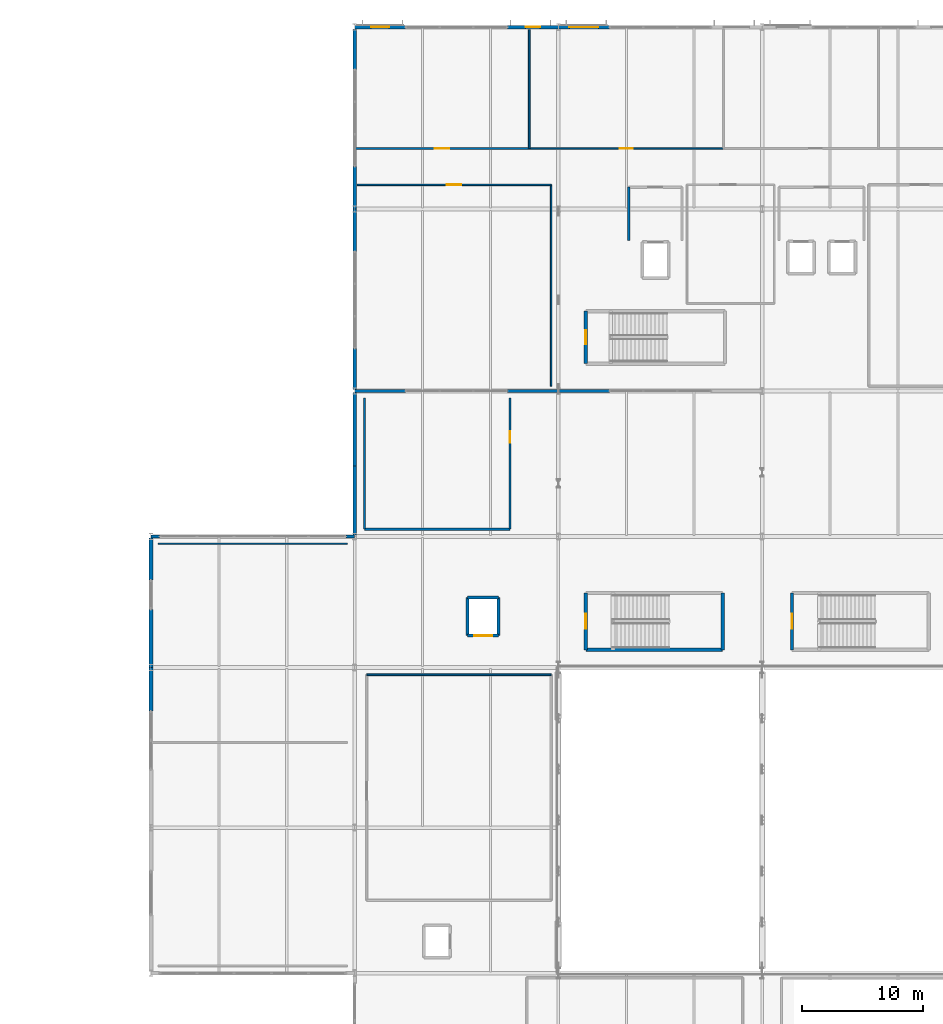
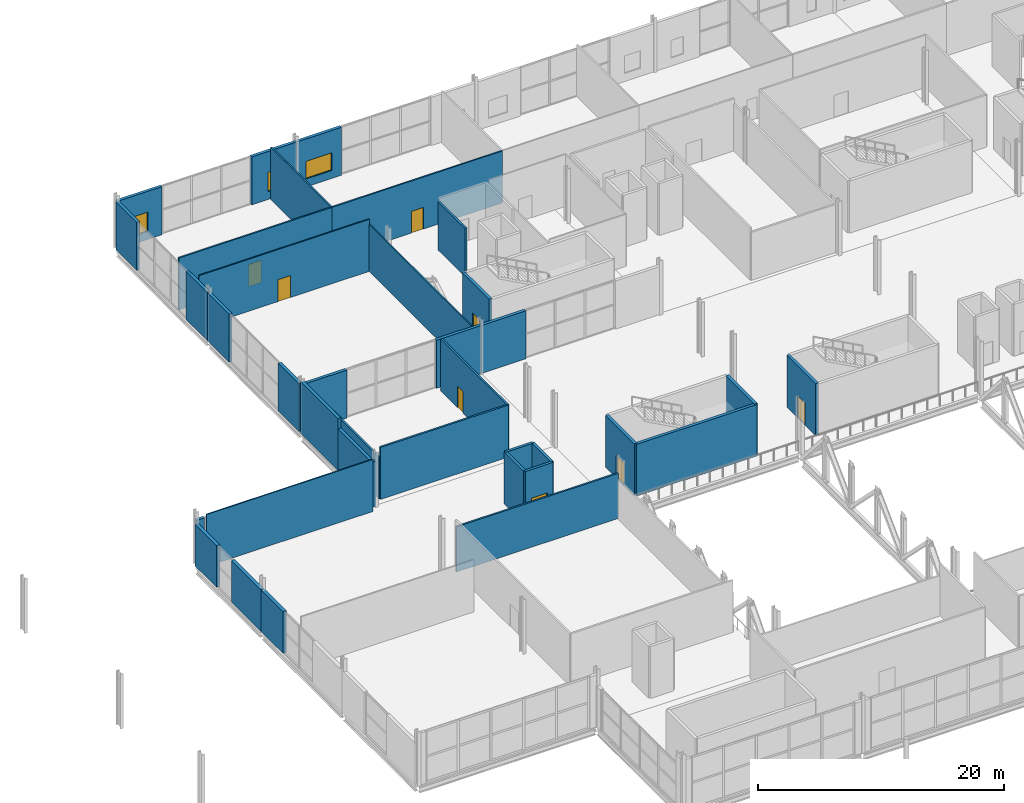
# One storey, part 61 of 84: 37 walls, 8 doors, 3 windows, 11 openings.
"""IFC4 building model written with IfcOpenShell, lengths in metres."""

from ifc_helpers import new_model, si_unit, direction, frame, frame_2d, origin, place, context, subcontext, project, spatial, rectangle, extrude, material, layer, layer_set, type_object, element, fill, save


model = new_model("IFC4")

# Units and contexts
model_context = context("Model", 3, precision=1e-05, world=origin(), true_north=direction((0.0, 1.0)))
body_context = subcontext(model_context, "Body", "Model", "MODEL_VIEW")
ifc_project = project(units=[si_unit("LENGTHUNIT", "METRE"), si_unit("AREAUNIT", "SQUARE_METRE"), si_unit("VOLUMEUNIT", "CUBIC_METRE"), si_unit("PLANEANGLEUNIT", "RADIAN"), si_unit("MASSUNIT", "GRAM", prefix="KILO")], contexts=[model_context])

# Site, building, storey
site_placement = place(None, origin())
site = spatial("IfcSite", under=ifc_project, at=site_placement, CompositionType="ELEMENT")
building_placement = place(site_placement, origin())
building = spatial("IfcBuilding", under=site, at=building_placement, Name="Kimbaza Rail Terminus", CompositionType="ELEMENT")
storey_placement = place(building_placement, frame((0.0, 0.0, 5.39990234375)))
storey = spatial("IfcBuildingStorey", under=building, at=storey_placement, Name="L01", CompositionType="ELEMENT", Elevation=5.39990234375)

# Wall, opening, window
ifc_material_1 = material(Name="Precast concrete C40/50", Category="concrete")
ifc_layer_1 = layer(ifc_material_1, 0.280029296875)
ifc_layer_set_1 = layer_set([ifc_layer_1], Name="Precast concrete C40/50")
wall_type_1 = type_object("IfcWallType", Name="ARC-WL-EXT280", PredefinedType="STANDARD", material=ifc_layer_set_1)
wall_1_placement = place(storey_placement, frame((55.199951171875, 133.0, 0.0), z_axis=(0.0, 0.0, 1.0), x_axis=(1.0, 0.0, 0.0)))
wall_1 = element("IfcWall", 1, at=wall_1_placement, inside=storey, type_object=wall_type_1, Name="Operations North Pier L01 0A", PredefinedType="STANDARD", context=body_context, shape_type="SweptSolid", body=[
    extrude(rectangle(XDim=4.199951171875, YDim=0.280029296875, at=frame_2d((2.10009765625, 0.0))), origin(), (0.0, 0.0, 1.0), 4.76513671875),
])
opening_1_placement = place(wall_1_placement, frame((1.35009765625, 0.0, 0.800048828125)))
opening_1 = element("IfcOpeningElement", 2, at=opening_1_placement, cuts=wall_1, Name="Opening W-08", PredefinedType="OPENING", context=body_context, shape_type="SweptSolid", body=[
    extrude(rectangle(XDim=1.5, YDim=1.89990234375, at=frame_2d((0.75, 0.949951171875))), frame((0.0, 0.14990234375, 0.0), z_axis=(0.0, -1.0, 0.0), x_axis=(1.0, 0.0, 0.0)), (0.0, 0.0, 1.0), 0.300048828125),
])
ifc_material_2 = material(Name="Thermally broken aluminium and solar low-E glass", Category="aluminium")
window_type_1 = type_object("IfcWindowType", Name="ARC-WIN-W-08", PartitioningType="SINGLE_PANEL", PredefinedType="WINDOW", material=ifc_material_2)
window_1_placement = place(opening_1_placement, origin())
window_1 = element("IfcWindow", 3, at=window_1_placement, inside=storey, type_object=window_type_1, Name="North Facade Window W-08", OverallHeight=1.89990234375, OverallWidth=1.5, PartitioningType="SINGLE_PANEL", PredefinedType="WINDOW", context=body_context, shape_type="SweptSolid", body=[
    extrude(rectangle(XDim=1.5, YDim=1.89990234375, at=frame_2d((0.75, 0.949951171875))), frame((0.0, 0.030029296875, 0.0), z_axis=(0.0, -1.0, 0.0), x_axis=(1.0, 0.0, 0.0)), (0.0, 0.0, 1.0), 0.06005859375),
])
fill(opening_1, window_1)

wall_2_placement = place(storey_placement, frame((67.800048828125, 133.0, 0.0), z_axis=(0.0, 0.0, 1.0), x_axis=(1.0, 0.0, 0.0)))
wall_2 = element("IfcWall", 4, at=wall_2_placement, inside=storey, type_object=wall_type_1, Name="Operations North Pier L01 0B", PredefinedType="STANDARD", context=body_context, shape_type="SweptSolid", body=[
    extrude(rectangle(XDim=4.199951171875, YDim=0.280029296875, at=frame_2d((2.10009765625, 0.0))), origin(), (0.0, 0.0, 1.0), 4.76513671875),
])
opening_2_placement = place(wall_2_placement, frame((1.5, 0.0, 0.800048828125)))
opening_2 = element("IfcOpeningElement", 5, at=opening_2_placement, cuts=wall_2, Name="Opening W-09", PredefinedType="OPENING", context=body_context, shape_type="SweptSolid", body=[
    extrude(rectangle(XDim=1.199951171875, YDim=1.89990234375, at=frame_2d((0.60009765625, 0.949951171875))), frame((0.0, 0.14990234375, 0.0), z_axis=(0.0, -1.0, 0.0), x_axis=(1.0, 0.0, 0.0)), (0.0, 0.0, 1.0), 0.300048828125),
])
ifc_material_3 = material(Name="Thermally broken aluminium and solar low-E glass", Category="aluminium")
window_type_2 = type_object("IfcWindowType", Name="ARC-WIN-W-09", PartitioningType="SINGLE_PANEL", PredefinedType="WINDOW", material=ifc_material_3)
window_2_placement = place(opening_2_placement, origin())
window_2 = element("IfcWindow", 6, at=window_2_placement, inside=storey, type_object=window_type_2, Name="North Facade Window W-09", OverallHeight=1.89990234375, OverallWidth=1.199951171875, PartitioningType="SINGLE_PANEL", PredefinedType="WINDOW", context=body_context, shape_type="SweptSolid", body=[
    extrude(rectangle(XDim=1.199951171875, YDim=1.89990234375, at=frame_2d((0.60009765625, 0.949951171875))), frame((0.0, 0.030029296875, 0.0), z_axis=(0.0, -1.0, 0.0), x_axis=(1.0, 0.0, 0.0)), (0.0, 0.0, 1.0), 0.06005859375),
])
fill(opening_2, window_2)

wall_3_placement = place(storey_placement, frame((72.0, 133.0, 0.0), z_axis=(0.0, 0.0, 1.0), x_axis=(1.0, 0.0, 0.0)))
wall_3 = element("IfcWall", 7, at=wall_3_placement, inside=storey, type_object=wall_type_1, Name="Operations North Pier L01 1A", PredefinedType="STANDARD", context=body_context, shape_type="SweptSolid", body=[
    extrude(rectangle(XDim=4.199951171875, YDim=0.280029296875, at=frame_2d((2.10009765625, 0.0))), origin(), (0.0, 0.0, 1.0), 4.76513671875),
])
opening_3_placement = place(wall_3_placement, frame((0.89990234375, 0.0, 0.800048828125)))
opening_3 = element("IfcOpeningElement", 8, at=opening_3_placement, cuts=wall_3, Name="Opening W-10", PredefinedType="OPENING", context=body_context, shape_type="SweptSolid", body=[
    extrude(rectangle(XDim=2.39990234375, YDim=1.75, at=frame_2d((1.199951171875, 0.875))), frame((0.0, 0.14990234375, 0.0), z_axis=(0.0, -1.0, 0.0), x_axis=(1.0, 0.0, 0.0)), (0.0, 0.0, 1.0), 0.300048828125),
])
ifc_material_4 = material(Name="Thermally broken aluminium and solar low-E glass", Category="aluminium")
window_type_3 = type_object("IfcWindowType", Name="ARC-WIN-W-10", PartitioningType="SINGLE_PANEL", PredefinedType="WINDOW", material=ifc_material_4)
window_3_placement = place(opening_3_placement, origin())
window_3 = element("IfcWindow", 9, at=window_3_placement, inside=storey, type_object=window_type_3, Name="North Facade Window W-10", OverallHeight=1.75, OverallWidth=2.39990234375, PartitioningType="SINGLE_PANEL", PredefinedType="WINDOW", context=body_context, shape_type="SweptSolid", body=[
    extrude(rectangle(XDim=2.39990234375, YDim=1.75, at=frame_2d((1.199951171875, 0.875))), frame((0.0, 0.030029296875, 0.0), z_axis=(0.0, -1.0, 0.0), x_axis=(1.0, 0.0, 0.0)), (0.0, 0.0, 1.0), 0.06005859375),
])
fill(opening_3, window_3)

# Walls
for number, where, z_axis, x_axis, name in (
    (10, (55.199951171875, 103.0, 0.0), (0.0, 0.0, 1.0), (1.0, 0.0, 0.0), "Operations South Wall L01 0A"),
    (11, (67.800048828125, 103.0, 0.0), (0.0, 0.0, 1.0), (1.0, 0.0, 0.0), "Operations South Wall L01 0B"),
    (12, (72.0, 103.0, 0.0), (0.0, 0.0, 1.0), (1.0, 0.0, 0.0), "Operations South Wall L01 1A"),
):
    element("IfcWall", number, at=place(storey_placement, frame(where, z_axis=z_axis, x_axis=x_axis)), inside=storey, type_object=wall_type_1, Name=name, PredefinedType="STANDARD", context=body_context, shape_type="SweptSolid", body=[
        extrude(rectangle(XDim=4.199951171875, YDim=0.280029296875, at=frame_2d((2.10009765625, 0.0))), origin(), (0.0, 0.0, 1.0), 4.76513671875),
    ])
wall_4_placement = place(storey_placement, frame((55.199951171875, 103.139892578125, 0.0), z_axis=(0.0, 0.0, 1.0), x_axis=(0.0, 1.0, 0.0)))
element("IfcWall", 13, at=wall_4_placement, inside=storey, type_object=wall_type_1, Name="Operations W End Pier L01", PredefinedType="STANDARD", context=body_context, shape_type="SweptSolid", body=[
    extrude(rectangle(XDim=3.360107421875, YDim=0.280029296875, at=frame_2d((1.68017578125, 0.0))), origin(), (0.0, 0.0, 1.0), 4.76513671875),
])
for number, where, z_axis, x_axis, name in (
    (14, (55.199951171875, 114.5, 0.0), (0.0, 0.0, 1.0), (0.0, 1.0, 0.0), "Operations W Corner Wall L01"),
    (15, (55.199951171875, 118.0, 0.0), (0.0, 0.0, 1.0), (0.0, 1.0, 0.0), "Operations W End Pier L01"),
):
    element("IfcWall", number, at=place(storey_placement, frame(where, z_axis=z_axis, x_axis=x_axis)), inside=storey, type_object=wall_type_1, Name=name, PredefinedType="STANDARD", context=body_context, shape_type="SweptSolid", body=[
        extrude(rectangle(XDim=3.5, YDim=0.280029296875, at=frame_2d((1.75, 0.0))), origin(), (0.0, 0.0, 1.0), 4.76513671875),
    ])
wall_5_placement = place(storey_placement, frame((55.199951171875, 129.5, 0.0), z_axis=(0.0, 0.0, 1.0), x_axis=(0.0, 1.0, 0.0)))
element("IfcWall", 16, at=wall_5_placement, inside=storey, type_object=wall_type_1, Name="Operations W Corner Wall L01", PredefinedType="STANDARD", context=body_context, shape_type="SweptSolid", body=[
    extrude(rectangle(XDim=3.360107421875, YDim=0.280029296875, at=frame_2d((1.68017578125, 0.0))), origin(), (0.0, 0.0, 1.0), 4.76513671875),
])
wall_6_placement = place(storey_placement, frame((38.39990234375, 91.0, 0.0), z_axis=(0.0, 0.0, 1.0), x_axis=(1.0, 0.0, 0.0)))
element("IfcWall", 17, at=wall_6_placement, inside=storey, type_object=wall_type_1, Name="Ticket Hall Wing W Curtain Wall L01.1 Corner Pier A", PredefinedType="STANDARD", context=body_context, shape_type="SweptSolid", body=[
    extrude(rectangle(XDim=0.72021484375, YDim=0.280029296875, at=frame_2d((0.360107421875, 0.0))), origin(), (0.0, 0.0, 1.0), 4.485107421875),
])
wall_7_placement = place(storey_placement, frame((54.47998046875, 91.0, 0.0), z_axis=(0.0, 0.0, 1.0), x_axis=(1.0, 0.0, 0.0)))
element("IfcWall", 18, at=wall_7_placement, inside=storey, type_object=wall_type_1, Name="Ticket Hall Wing W Curtain Wall L01.1 Corner Pier B", PredefinedType="STANDARD", context=body_context, shape_type="SweptSolid", body=[
    extrude(rectangle(XDim=0.719970703125, YDim=0.280029296875, at=frame_2d((0.35986328125, 0.0))), origin(), (0.0, 0.0, 1.0), 4.485107421875),
])
wall_8_placement = place(storey_placement, frame((55.199951171875, 91.139892578125, 0.0), z_axis=(0.0, 0.0, 1.0), x_axis=(0.0, 1.0, 0.0)))
element("IfcWall", 19, at=wall_8_placement, inside=storey, type_object=wall_type_1, Name="Link Hall W Wall L01A", PredefinedType="STANDARD", context=body_context, shape_type="SweptSolid", body=[
    extrude(rectangle(XDim=5.66015625, YDim=0.280029296875, at=frame_2d((2.830078125, 0.0))), origin(), (0.0, 0.0, 1.0), 4.125),
])
wall_9_placement = place(storey_placement, frame((55.199951171875, 96.800048828125, 0.0), z_axis=(0.0, 0.0, 1.0), x_axis=(0.0, 1.0, 0.0)))
element("IfcWall", 20, at=wall_9_placement, inside=storey, type_object=wall_type_1, Name="Link Hall W Wall L01B", PredefinedType="STANDARD", context=body_context, shape_type="SweptSolid", body=[
    extrude(rectangle(XDim=6.06005859375, YDim=0.280029296875, at=frame_2d((3.030029296875, 0.0))), origin(), (0.0, 0.0, 1.0), 5.14013671875),
])
ifc_material_5 = material(Name="Precast concrete C40/50", Category="concrete")
ifc_layer_2 = layer(ifc_material_5, 0.320068359375)
ifc_layer_set_2 = layer_set([ifc_layer_2], Name="Precast concrete C40/50")
wall_type_2 = type_object("IfcWallType", Name="ARC-WL-EXT320", PredefinedType="STANDARD", material=ifc_layer_set_2)
wall_10_placement = place(storey_placement, frame((38.39990234375, 76.60009765625, 0.0), z_axis=(0.0, 0.0, 1.0), x_axis=(0.0, 1.0, 0.0)))
element("IfcWall", 21, at=wall_10_placement, inside=storey, type_object=wall_type_2, Name="Ticket Hall W Pier L01.2", PredefinedType="STANDARD", context=body_context, shape_type="SweptSolid", body=[
    extrude(rectangle(XDim=3.599853515625, YDim=0.320068359375, at=frame_2d((1.7998046875, 0.0))), origin(), (0.0, 0.0, 1.0), 4.125),
])
wall_11_placement = place(storey_placement, frame((38.39990234375, 80.199951171875, 0.0), z_axis=(0.0, 0.0, 1.0), x_axis=(0.0, 1.0, 0.0)))
element("IfcWall", 22, at=wall_11_placement, inside=storey, type_object=wall_type_2, Name="Ticket Hall W Flank Wall L01.3", PredefinedType="STANDARD", context=body_context, shape_type="SweptSolid", body=[
    extrude(rectangle(XDim=4.800048828125, YDim=0.320068359375, at=frame_2d((2.39990234375, 0.0))), origin(), (0.0, 0.0, 1.0), 4.125),
])
wall_12_placement = place(storey_placement, frame((38.39990234375, 87.39990234375, 0.0), z_axis=(0.0, 0.0, 1.0), x_axis=(0.0, 1.0, 0.0)))
element("IfcWall", 23, at=wall_12_placement, inside=storey, type_object=wall_type_2, Name="Ticket Hall W Pier L01.3", PredefinedType="STANDARD", context=body_context, shape_type="SweptSolid", body=[
    extrude(rectangle(XDim=3.460205078125, YDim=0.320068359375, at=frame_2d((1.72998046875, 0.0))), origin(), (0.0, 0.0, 1.0), 4.125),
])
ifc_material_6 = material(Name="Concrete blockwork C30/37", Category="masonry")
ifc_layer_3 = layer(ifc_material_6, 0.179931640625)
ifc_layer_set_3 = layer_set([ifc_layer_3], Name="Concrete blockwork C30/37")
wall_type_3 = type_object("IfcWallType", Name="ARC-WL-FIRE180", PredefinedType="PARTITIONING", material=ifc_layer_set_3)
wall_13_placement = place(storey_placement, frame((77.800048828125, 119.800048828125, 0.0), z_axis=(0.0, 0.0, 1.0), x_axis=(0.0, -1.0, 0.0)))
element("IfcWall", 24, at=wall_13_placement, inside=storey, type_object=wall_type_3, Name="Firefighting Lobby LF-01 Partition (west)", PredefinedType="PARTITIONING", context=body_context, shape_type="SweptSolid", body=[
    extrude(rectangle(XDim=4.400146484375, YDim=0.179931640625, at=frame_2d((2.2001953125, 0.0))), origin(), (0.0, 0.0, 1.0), 4.795166015625),
])
ifc_material_7 = material(Name="Demountable acoustic glass wall", Category="glass")
ifc_layer_4 = layer(ifc_material_7, 0.110107421875)
ifc_layer_set_4 = layer_set([ifc_layer_4], Name="Demountable acoustic glass wall")
wall_type_4 = type_object("IfcWallType", Name="ARC-WL-MOV110", PredefinedType="MOVABLE", material=ifc_layer_set_4)
wall_14_placement = place(storey_placement, frame((54.60009765625, 90.39990234375, 0.0), z_axis=(0.0, 0.0, 1.0), x_axis=(-1.0, 0.0, 0.0)))
element("IfcWall", 25, at=wall_14_placement, inside=storey, type_object=wall_type_4, Name="Regional Passenger Waiting Salon Partition (north)", PredefinedType="MOVABLE", context=body_context, shape_type="SweptSolid", body=[
    extrude(rectangle(XDim=15.60009765625, YDim=0.110107421875, at=frame_2d((7.800048828125, 0.0))), origin(), (0.0, 0.0, 1.0), 5.16015625),
])
ifc_material_8 = material(Name="Moisture-resistant stud wall", Category="gypsum")
ifc_layer_5 = layer(ifc_material_8, 0.1201171875)
ifc_layer_set_5 = layer_set([ifc_layer_5], Name="Moisture-resistant stud wall")
wall_type_5 = type_object("IfcWallType", Name="ARC-WL-PART120", PredefinedType="PARTITIONING", material=ifc_layer_set_5)
wall_15_placement = place(storey_placement, frame((71.39990234375, 103.39990234375, 0.0), z_axis=(0.0, 0.0, 1.0), x_axis=(0.0, 1.0, 0.0)))
element("IfcWall", 26, at=wall_15_placement, inside=storey, type_object=wall_type_5, Name="L01 West Signalling Design Office Partition (east)", PredefinedType="PARTITIONING", context=body_context, shape_type="SweptSolid", body=[
    extrude(rectangle(XDim=16.60009765625, YDim=0.1201171875, at=frame_2d((8.300048828125, 0.0))), origin(), (0.0, 0.0, 1.0), 4.655029296875),
])

# Wall, opening, door
wall_16_placement = place(storey_placement, frame((71.39990234375, 120.0, 0.0), z_axis=(0.0, 0.0, 1.0), x_axis=(-1.0, 0.0, 0.0)))
wall_16 = element("IfcWall", 27, at=wall_16_placement, inside=storey, type_object=wall_type_5, Name="L01 West Signalling Design Office Partition (north)", PredefinedType="PARTITIONING", context=body_context, shape_type="SweptSolid", body=[
    extrude(rectangle(XDim=16.0, YDim=0.1201171875, at=frame_2d((8.0, 0.0))), origin(), (0.0, 0.0, 1.0), 5.16015625),
])
opening_4_placement = place(wall_16_placement, frame((7.409912109375, 0.0, 0.0)))
opening_4 = element("IfcOpeningElement", 28, at=opening_4_placement, cuts=wall_16, Name="Opening ID-11", PredefinedType="OPENING", context=body_context, shape_type="SweptSolid", body=[
    extrude(rectangle(XDim=1.179931640625, YDim=2.179931640625, at=frame_2d((0.58984375, 1.08984375))), frame((0.0, 0.070068359375, 0.0), z_axis=(0.0, -1.0, 0.0), x_axis=(1.0, 0.0, 0.0)), (0.0, 0.0, 1.0), 0.14013671875),
])
ifc_material_9 = material(Name="Broadcast studio acoustic door", Category="wood")
door_type_1 = type_object("IfcDoorType", Name="ARC-DR-ID118", OperationType="NOTDEFINED", PredefinedType="DOOR", material=ifc_material_9)
door_1_placement = place(opening_4_placement, origin())
door_1 = element("IfcDoor", 29, at=door_1_placement, inside=storey, type_object=door_type_1, Name="IDR-SPC-V5S-L01-1", OperationType="SINGLE_SWING_RIGHT", OverallHeight=2.179931640625, OverallWidth=1.179931640625, PredefinedType="DOOR", context=body_context, shape_type="SweptSolid", body=[
    extrude(rectangle(XDim=1.179931640625, YDim=2.179931640625, at=frame_2d((0.58984375, 1.08984375))), frame((0.0, 0.02490234375, 0.0), z_axis=(0.0, -1.0, 0.0), x_axis=(1.0, 0.0, 0.0)), (0.0, 0.0, 1.0), 0.050048828125),
])
fill(opening_4, door_1)

ifc_material_10 = material(Name="Acoustic gypsum stud partition", Category="gypsum")
ifc_layer_6 = layer(ifc_material_10, 0.1298828125)
ifc_layer_set_6 = layer_set([ifc_layer_6], Name="Acoustic gypsum stud partition")
wall_type_6 = type_object("IfcWallType", Name="ARC-WL-PART130", PredefinedType="PARTITIONING", material=ifc_layer_set_6)
wall_17_placement = place(storey_placement, frame((69.60009765625, 123.0, 0.0), z_axis=(0.0, 0.0, 1.0), x_axis=(1.0, 0.0, 0.0)))
wall_17 = element("IfcWall", 30, at=wall_17_placement, inside=storey, type_object=wall_type_6, Name="Conductors Roster and Dispatch Office Partition (south)", PredefinedType="PARTITIONING", context=body_context, shape_type="SweptSolid", body=[
    extrude(rectangle(XDim=16.0, YDim=0.1298828125, at=frame_2d((8.0, 0.0))), origin(), (0.0, 0.0, 1.0), 5.16015625),
])
opening_5_placement = place(wall_17_placement, frame((8.550048828125, 0.0, 0.0), z_axis=(0.0, 0.0, 1.0), x_axis=(-1.0, 0.0, 0.0)))
opening_5 = element("IfcOpeningElement", 31, at=opening_5_placement, cuts=wall_17, Name="Opening ID-04", PredefinedType="OPENING", context=body_context, shape_type="SweptSolid", body=[
    extrude(rectangle(XDim=1.10009765625, YDim=2.14990234375, at=frame_2d((0.550048828125, 1.074951171875))), frame((0.0, 0.074951171875, 0.0), z_axis=(0.0, -1.0, 0.0), x_axis=(1.0, 0.0, 0.0)), (0.0, 0.0, 1.0), 0.14990234375),
])
ifc_material_11 = material(Name="Hardwood veneer acoustic office door", Category="wood")
door_type_2 = type_object("IfcDoorType", Name="ARC-DR-ID110", OperationType="NOTDEFINED", PredefinedType="DOOR", material=ifc_material_11)
door_2_placement = place(opening_5_placement, origin())
door_2 = element("IfcDoor", 32, at=door_2_placement, inside=storey, type_object=door_type_2, Name="IDR-SPC-V5N-L01-02", OperationType="SINGLE_SWING_LEFT", OverallHeight=2.14990234375, OverallWidth=1.10009765625, PredefinedType="DOOR", context=body_context, shape_type="SweptSolid", body=[
    extrude(rectangle(XDim=1.10009765625, YDim=2.14990234375, at=frame_2d((0.550048828125, 1.074951171875))), frame((0.0, 0.02490234375, 0.0), z_axis=(0.0, -1.0, 0.0), x_axis=(1.0, 0.0, 0.0)), (0.0, 0.0, 1.0), 0.050048828125),
])
fill(opening_5, door_2)

ifc_material_12 = material(Name="Acoustic gypsum stud partition", Category="gypsum")
ifc_layer_7 = layer(ifc_material_12, 0.139892578125)
ifc_layer_set_7 = layer_set([ifc_layer_7], Name="Acoustic gypsum stud partition")
wall_type_7 = type_object("IfcWallType", Name="ARC-WL-PART140", PredefinedType="PARTITIONING", material=ifc_layer_set_7)
wall_18_placement = place(storey_placement, frame((55.219970703125, 123.0, 0.0), z_axis=(0.0, 0.0, 1.0), x_axis=(1.0, 0.0, 0.0)))
wall_18 = element("IfcWall", 33, at=wall_18_placement, inside=storey, type_object=wall_type_7, Name="Locomotive Drivers Briefing Studio Partition (south)", PredefinedType="PARTITIONING", context=body_context, shape_type="SweptSolid", body=[
    extrude(rectangle(XDim=14.380126953125, YDim=0.139892578125, at=frame_2d((7.18994140625, 0.0))), origin(), (0.0, 0.0, 1.0), 5.16015625),
])
opening_6_placement = place(wall_18_placement, frame((6.580078125, 0.0, 0.0)))
opening_6 = element("IfcOpeningElement", 34, at=opening_6_placement, cuts=wall_18, Name="Opening ID-03", PredefinedType="OPENING", context=body_context, shape_type="SweptSolid", body=[
    extrude(rectangle(XDim=1.199951171875, YDim=2.199951171875, at=frame_2d((0.60009765625, 1.10009765625))), frame((0.0, 0.079833984375, 0.0), z_axis=(0.0, -1.0, 0.0), x_axis=(1.0, 0.0, 0.0)), (0.0, 0.0, 1.0), 0.159912109375),
])
ifc_material_13 = material(Name="Hardwood veneer acoustic room door", Category="wood")
door_type_3 = type_object("IfcDoorType", Name="ARC-DR-ID120", OperationType="NOTDEFINED", PredefinedType="DOOR", material=ifc_material_13)
door_3_placement = place(opening_6_placement, origin())
door_3 = element("IfcDoor", 35, at=door_3_placement, inside=storey, type_object=door_type_3, Name="IDR-SPC-V5N-L01-01", OperationType="SINGLE_SWING_RIGHT", OverallHeight=2.199951171875, OverallWidth=1.199951171875, PredefinedType="DOOR", context=body_context, shape_type="SweptSolid", body=[
    extrude(rectangle(XDim=1.199951171875, YDim=2.199951171875, at=frame_2d((0.60009765625, 1.10009765625))), frame((0.0, 0.02490234375, 0.0), z_axis=(0.0, -1.0, 0.0), x_axis=(1.0, 0.0, 0.0)), (0.0, 0.0, 1.0), 0.050048828125),
])
fill(opening_6, door_3)

# Walls
wall_19_placement = place(storey_placement, frame((69.60009765625, 123.0, 0.0), z_axis=(0.0, 0.0, 1.0), x_axis=(0.0, 1.0, 0.0)))
element("IfcWall", 36, at=wall_19_placement, inside=storey, type_object=wall_type_7, Name="Locomotive Drivers Briefing Studio Partition (east)", PredefinedType="PARTITIONING", context=body_context, shape_type="SweptSolid", body=[
    extrude(rectangle(XDim=9.800048828125, YDim=0.139892578125, at=frame_2d((4.89990234375, 0.0))), origin(), (0.0, 0.0, 1.0), 5.16015625),
])
ifc_material_14 = material(Name="Acoustic gypsum stud partition", Category="gypsum")
ifc_layer_8 = layer(ifc_material_14, 0.159912109375)
ifc_layer_set_8 = layer_set([ifc_layer_8], Name="Acoustic gypsum stud partition")
wall_type_8 = type_object("IfcWallType", Name="ARC-WL-PART160", PredefinedType="PARTITIONING", material=ifc_layer_set_8)
wall_20_placement = place(storey_placement, frame((71.39990234375, 79.60009765625, 0.0), z_axis=(0.0, 0.0, 1.0), x_axis=(-1.0, 0.0, 0.0)))
element("IfcWall", 37, at=wall_20_placement, inside=storey, type_object=wall_type_8, Name="West Mezzanine Left-Luggage Counter Partition (north)", PredefinedType="PARTITIONING", context=body_context, shape_type="SweptSolid", body=[
    extrude(rectangle(XDim=15.199951171875, YDim=0.159912109375, at=frame_2d((7.60009765625, 0.0))), origin(), (0.0, 0.0, 1.0), 4.485107421875),
])
ifc_material_15 = material(Name="Moisture-resistant blockwork C25/30", Category="masonry")
ifc_layer_9 = layer(ifc_material_15, 0.169921875)
ifc_layer_set_9 = layer_set([ifc_layer_9], Name="Moisture-resistant blockwork C25/30")
wall_type_9 = type_object("IfcWallType", Name="ARC-WL-PLMB170", PredefinedType="PLUMBINGWALL", material=ifc_layer_set_9)
wall_21_placement = place(storey_placement, frame((56.0, 91.60009765625, 0.0), z_axis=(0.0, 0.0, 1.0), x_axis=(1.0, 0.0, 0.0)))
element("IfcWall", 38, at=wall_21_placement, inside=storey, type_object=wall_type_9, Name="Mezzanine Passenger WC Suite Partition (south)", PredefinedType="PLUMBINGWALL", context=body_context, shape_type="SweptSolid", body=[
    extrude(rectangle(XDim=12.0, YDim=0.169921875, at=frame_2d((6.0, 0.0))), origin(), (0.0, 0.0, 1.0), 5.16015625),
])

# Wall, opening, door
wall_22_placement = place(storey_placement, frame((68.0, 91.60009765625, 0.0), z_axis=(0.0, 0.0, 1.0), x_axis=(0.0, 1.0, 0.0)))
wall_22 = element("IfcWall", 39, at=wall_22_placement, inside=storey, type_object=wall_type_9, Name="Mezzanine Passenger WC Suite Partition (east)", PredefinedType="PLUMBINGWALL", context=body_context, shape_type="SweptSolid", body=[
    extrude(rectangle(XDim=10.7998046875, YDim=0.169921875, at=frame_2d((5.39990234375, 0.0))), origin(), (0.0, 0.0, 1.0), 5.16015625),
])
opening_7_placement = place(wall_22_placement, frame((7.125, 0.0, 0.0)))
opening_7 = element("IfcOpeningElement", 40, at=opening_7_placement, cuts=wall_22, Name="Opening ID-06", PredefinedType="OPENING", context=body_context, shape_type="SweptSolid", body=[
    extrude(rectangle(XDim=0.949951171875, YDim=2.14990234375, at=frame_2d((0.47509765625, 1.074951171875))), frame((0.0, 0.094970703125, 0.0), z_axis=(0.0, -1.0, 0.0), x_axis=(1.0, 0.0, 0.0)), (0.0, 0.0, 1.0), 0.18994140625),
])
ifc_material_16 = material(Name="Accessible washroom outward-capable door", Category="wood")
door_type_4 = type_object("IfcDoorType", Name="ARC-DR-ID095", OperationType="NOTDEFINED", PredefinedType="DOOR", material=ifc_material_16)
door_4_placement = place(opening_7_placement, origin())
door_4 = element("IfcDoor", 41, at=door_4_placement, inside=storey, type_object=door_type_4, Name="IDR-SPC-L01-MWC1", OperationType="SINGLE_SWING_RIGHT", OverallHeight=2.14990234375, OverallWidth=0.949951171875, PredefinedType="DOOR", context=body_context, shape_type="SweptSolid", body=[
    extrude(rectangle(XDim=0.949951171875, YDim=2.14990234375, at=frame_2d((0.47509765625, 1.074951171875))), frame((0.0, 0.02490234375, 0.0), z_axis=(0.0, -1.0, 0.0), x_axis=(1.0, 0.0, 0.0)), (0.0, 0.0, 1.0), 0.050048828125),
])
fill(opening_7, door_4)

# Wall
wall_23_placement = place(storey_placement, frame((56.0, 102.39990234375, 0.0), z_axis=(0.0, 0.0, 1.0), x_axis=(0.0, -1.0, 0.0)))
element("IfcWall", 42, at=wall_23_placement, inside=storey, type_object=wall_type_9, Name="Mezzanine Passenger WC Suite Partition (west)", PredefinedType="PLUMBINGWALL", context=body_context, shape_type="SweptSolid", body=[
    extrude(rectangle(XDim=10.7998046875, YDim=0.169921875, at=frame_2d((5.39990234375, 0.0))), origin(), (0.0, 0.0, 1.0), 4.125),
])

# Wall, opening, door
ifc_material_17 = material(Name="Concrete C40/50", Category="concrete")
ifc_layer_10 = layer(ifc_material_17, 0.25)
ifc_layer_set_10 = layer_set([ifc_layer_10], Name="Concrete C40/50")
wall_type_10 = type_object("IfcWallType", Name="STR-WL-CORE250", PredefinedType="SHEAR", material=ifc_layer_set_10)
wall_24_placement = place(storey_placement, frame((64.52001953125, 82.820068359375, 0.0), z_axis=(0.0, 0.0, 1.0), x_axis=(1.0, 0.0, 0.0)))
wall_24 = element("IfcWall", 43, at=wall_24_placement, inside=storey, type_object=wall_type_10, Name="Lift Shaft Wall LG-01 L01-1", PredefinedType="SHEAR", context=body_context, shape_type="SweptSolid", body=[
    extrude(rectangle(XDim=2.56005859375, YDim=0.25, at=frame_2d((1.280029296875, 0.0))), origin(), (0.0, 0.0, 1.0), 5.14013671875),
])
opening_8_placement = place(wall_24_placement, frame((0.530029296875, 0.0, 0.0)))
opening_8 = element("IfcOpeningElement", 44, at=opening_8_placement, cuts=wall_24, Name="Opening LD-03", PredefinedType="OPENING", context=body_context, shape_type="SweptSolid", body=[
    extrude(rectangle(XDim=1.5, YDim=2.300048828125, at=frame_2d((0.75, 1.14990234375))), frame((0.0, 0.135009765625, 0.0), z_axis=(0.0, -1.0, 0.0), x_axis=(1.0, 0.0, 0.0)), (0.0, 0.0, 1.0), 0.27001953125),
])
ifc_material_18 = material(Name="Heavy goods stainless steel landing door", Category="steel")
door_type_5 = type_object("IfcDoorType", Name="ARC-DR-LD150", OperationType="NOTDEFINED", PredefinedType="DOOR", material=ifc_material_18)
door_5_placement = place(opening_8_placement, origin())
door_5 = element("IfcDoor", 45, at=door_5_placement, inside=storey, type_object=door_type_5, Name="LDR-LG-01-L01", OperationType="SLIDING_TO_LEFT", OverallHeight=2.300048828125, OverallWidth=1.5, PredefinedType="DOOR", context=body_context, shape_type="SweptSolid", body=[
    extrude(rectangle(XDim=1.5, YDim=2.300048828125, at=frame_2d((0.75, 1.14990234375))), frame((0.0, 0.02490234375, 0.0), z_axis=(0.0, -1.0, 0.0), x_axis=(1.0, 0.0, 0.0)), (0.0, 0.0, 1.0), 0.050048828125),
])
fill(opening_8, door_5)

# Walls
wall_25_placement = place(storey_placement, frame((67.080078125, 82.820068359375, 0.0), z_axis=(0.0, 0.0, 1.0), x_axis=(0.0, 1.0, 0.0)))
element("IfcWall", 46, at=wall_25_placement, inside=storey, type_object=wall_type_10, Name="Lift Shaft Wall LG-01 L01-2", PredefinedType="SHEAR", context=body_context, shape_type="SweptSolid", body=[
    extrude(rectangle(XDim=3.159912109375, YDim=0.25, at=frame_2d((1.580078125, 0.0))), origin(), (0.0, 0.0, 1.0), 5.14013671875),
])
wall_26_placement = place(storey_placement, frame((67.080078125, 85.97998046875, 0.0), z_axis=(0.0, 0.0, 1.0), x_axis=(-1.0, 0.0, 0.0)))
element("IfcWall", 47, at=wall_26_placement, inside=storey, type_object=wall_type_10, Name="Lift Shaft Wall LG-01 L01-3", PredefinedType="SHEAR", context=body_context, shape_type="SweptSolid", body=[
    extrude(rectangle(XDim=2.56005859375, YDim=0.25, at=frame_2d((1.280029296875, 0.0))), origin(), (0.0, 0.0, 1.0), 5.14013671875),
])
wall_27_placement = place(storey_placement, frame((64.52001953125, 85.97998046875, 0.0), z_axis=(0.0, 0.0, 1.0), x_axis=(0.0, -1.0, 0.0)))
element("IfcWall", 48, at=wall_27_placement, inside=storey, type_object=wall_type_10, Name="Lift Shaft Wall LG-01 L01-4", PredefinedType="SHEAR", context=body_context, shape_type="SweptSolid", body=[
    extrude(rectangle(XDim=3.159912109375, YDim=0.25, at=frame_2d((1.580078125, 0.0))), origin(), (0.0, 0.0, 1.0), 5.14013671875),
])

# Wall, opening, door
ifc_material_19 = material(Name="Concrete C40/50", Category="concrete")
ifc_layer_11 = layer(ifc_material_19, 0.280029296875)
ifc_layer_set_11 = layer_set([ifc_layer_11], Name="Concrete C40/50")
wall_type_11 = type_object("IfcWallType", Name="STR-WL-CORE280", PredefinedType="SHEAR", material=ifc_layer_set_11)
wall_28_placement = place(storey_placement, frame((74.260009765625, 109.580078125, 0.0), z_axis=(0.0, 0.0, 1.0), x_axis=(0.0, -1.0, 0.0)))
wall_28 = element("IfcWall", 49, at=wall_28_placement, inside=storey, type_object=wall_type_11, Name="Operations West Exit Stair Shaft Wall L01-4", PredefinedType="SHEAR", context=body_context, shape_type="SweptSolid", body=[
    extrude(rectangle(XDim=4.320068359375, YDim=0.280029296875, at=frame_2d((2.16015625, 0.0))), origin(), (0.0, 0.0, 1.0), 5.16015625),
])
opening_9_placement = place(wall_28_placement, frame((1.5849609375, 0.0, 0.0)))
opening_9 = element("IfcOpeningElement", 50, at=opening_9_placement, cuts=wall_28, Name="Opening FD-03", PredefinedType="OPENING", context=body_context, shape_type="SweptSolid", body=[
    extrude(rectangle(XDim=1.14990234375, YDim=2.199951171875, at=frame_2d((0.574951171875, 1.10009765625))), frame((0.0, 0.14990234375, 0.0), z_axis=(0.0, -1.0, 0.0), x_axis=(1.0, 0.0, 0.0)), (0.0, 0.0, 1.0), 0.300048828125),
])
ifc_material_20 = material(Name="Firefighting lobby self-closing steel door", Category="steel")
door_type_6 = type_object("IfcDoorType", Name="ARC-DR-FD115", OperationType="NOTDEFINED", PredefinedType="DOOR", material=ifc_material_20)
door_6_placement = place(opening_9_placement, origin())
door_6 = element("IfcDoor", 51, at=door_6_placement, inside=storey, type_object=door_type_6, Name="SDR-ST-W1-L01", OperationType="SINGLE_SWING_LEFT", OverallHeight=2.199951171875, OverallWidth=1.14990234375, PredefinedType="DOOR", context=body_context, shape_type="SweptSolid", body=[
    extrude(rectangle(XDim=1.14990234375, YDim=2.199951171875, at=frame_2d((0.574951171875, 1.10009765625))), frame((0.0, 0.02490234375, 0.0), z_axis=(0.0, -1.0, 0.0), x_axis=(1.0, 0.0, 0.0)), (0.0, 0.0, 1.0), 0.050048828125),
])
fill(opening_9, door_6)

# Walls
wall_29_placement = place(storey_placement, frame((74.260009765625, 81.659912109375, 0.0), z_axis=(0.0, 0.0, 1.0), x_axis=(1.0, 0.0, 0.0)))
element("IfcWall", 52, at=wall_29_placement, inside=storey, type_object=wall_type_11, Name="Platform West Concourse Stair Shaft Wall L01-1", PredefinedType="SHEAR", context=body_context, shape_type="SweptSolid", body=[
    extrude(rectangle(XDim=11.280029296875, YDim=0.280029296875, at=frame_2d((5.64013671875, 0.0))), origin(), (0.0, 0.0, 1.0), 5.14013671875),
])
wall_30_placement = place(storey_placement, frame((85.5400390625, 81.659912109375, 0.0), z_axis=(0.0, 0.0, 1.0), x_axis=(0.0, 1.0, 0.0)))
element("IfcWall", 53, at=wall_30_placement, inside=storey, type_object=wall_type_11, Name="Platform West Concourse Stair Shaft Wall L01-2", PredefinedType="SHEAR", context=body_context, shape_type="SweptSolid", body=[
    extrude(rectangle(XDim=4.68017578125, YDim=0.280029296875, at=frame_2d((2.340087890625, 0.0))), origin(), (0.0, 0.0, 1.0), 5.14013671875),
])

# Wall, opening, door
wall_31_placement = place(storey_placement, frame((74.260009765625, 86.340087890625, 0.0), z_axis=(0.0, 0.0, 1.0), x_axis=(0.0, -1.0, 0.0)))
wall_31 = element("IfcWall", 54, at=wall_31_placement, inside=storey, type_object=wall_type_11, Name="Platform West Concourse Stair Shaft Wall L01-4", PredefinedType="SHEAR", context=body_context, shape_type="SweptSolid", body=[
    extrude(rectangle(XDim=4.68017578125, YDim=0.280029296875, at=frame_2d((2.340087890625, 0.0))), origin(), (0.0, 0.0, 1.0), 5.14013671875),
])
opening_10_placement = place(wall_31_placement, frame((1.715087890625, 0.0, 0.0)))
opening_10 = element("IfcOpeningElement", 55, at=opening_10_placement, cuts=wall_31, Name="Opening FD-02", PredefinedType="OPENING", context=body_context, shape_type="SweptSolid", body=[
    extrude(rectangle(XDim=1.25, YDim=2.199951171875, at=frame_2d((0.625, 1.10009765625))), frame((0.0, 0.14990234375, 0.0), z_axis=(0.0, -1.0, 0.0), x_axis=(1.0, 0.0, 0.0)), (0.0, 0.0, 1.0), 0.300048828125),
])
ifc_material_21 = material(Name="Galvanised painted steel fire stair door", Category="steel")
door_type_7 = type_object("IfcDoorType", Name="ARC-DR-FD125", OperationType="NOTDEFINED", PredefinedType="DOOR", material=ifc_material_21)
door_7_placement = place(opening_10_placement, origin())
door_7 = element("IfcDoor", 56, at=door_7_placement, inside=storey, type_object=door_type_7, Name="SDR-ST-C1-L01", OperationType="SINGLE_SWING_LEFT", OverallHeight=2.199951171875, OverallWidth=1.25, PredefinedType="DOOR", context=body_context, shape_type="SweptSolid", body=[
    extrude(rectangle(XDim=1.25, YDim=2.199951171875, at=frame_2d((0.625, 1.10009765625))), frame((0.0, 0.02490234375, 0.0), z_axis=(0.0, -1.0, 0.0), x_axis=(1.0, 0.0, 0.0)), (0.0, 0.0, 1.0), 0.050048828125),
])
fill(opening_10, door_7)

wall_32_placement = place(storey_placement, frame((91.260009765625, 86.340087890625, 0.0), z_axis=(0.0, 0.0, 1.0), x_axis=(0.0, -1.0, 0.0)))
wall_32 = element("IfcWall", 57, at=wall_32_placement, inside=storey, type_object=wall_type_11, Name="Footbridge West Platform Stair Shaft Wall L01-4", PredefinedType="SHEAR", context=body_context, shape_type="SweptSolid", body=[
    extrude(rectangle(XDim=4.68017578125, YDim=0.280029296875, at=frame_2d((2.340087890625, 0.0))), origin(), (0.0, 0.0, 1.0), 5.14013671875),
])
opening_11_placement = place(wall_32_placement, frame((1.715087890625, 0.0, 0.0)))
opening_11 = element("IfcOpeningElement", 58, at=opening_11_placement, cuts=wall_32, Name="Opening FD-02", PredefinedType="OPENING", context=body_context, shape_type="SweptSolid", body=[
    extrude(rectangle(XDim=1.25, YDim=2.199951171875, at=frame_2d((0.625, 1.10009765625))), frame((0.0, 0.14990234375, 0.0), z_axis=(0.0, -1.0, 0.0), x_axis=(1.0, 0.0, 0.0)), (0.0, 0.0, 1.0), 0.300048828125),
])
door_8_placement = place(opening_11_placement, origin())
door_8 = element("IfcDoor", 59, at=door_8_placement, inside=storey, type_object=door_type_7, Name="SDR-ST-C3-L01", OperationType="SINGLE_SWING_LEFT", OverallHeight=2.199951171875, OverallWidth=1.25, PredefinedType="DOOR", context=body_context, shape_type="SweptSolid", body=[
    extrude(rectangle(XDim=1.25, YDim=2.199951171875, at=frame_2d((0.625, 1.10009765625))), frame((0.0, 0.02490234375, 0.0), z_axis=(0.0, -1.0, 0.0), x_axis=(1.0, 0.0, 0.0)), (0.0, 0.0, 1.0), 0.050048828125),
])
fill(opening_11, door_8)

save(model, "model.ifc")
